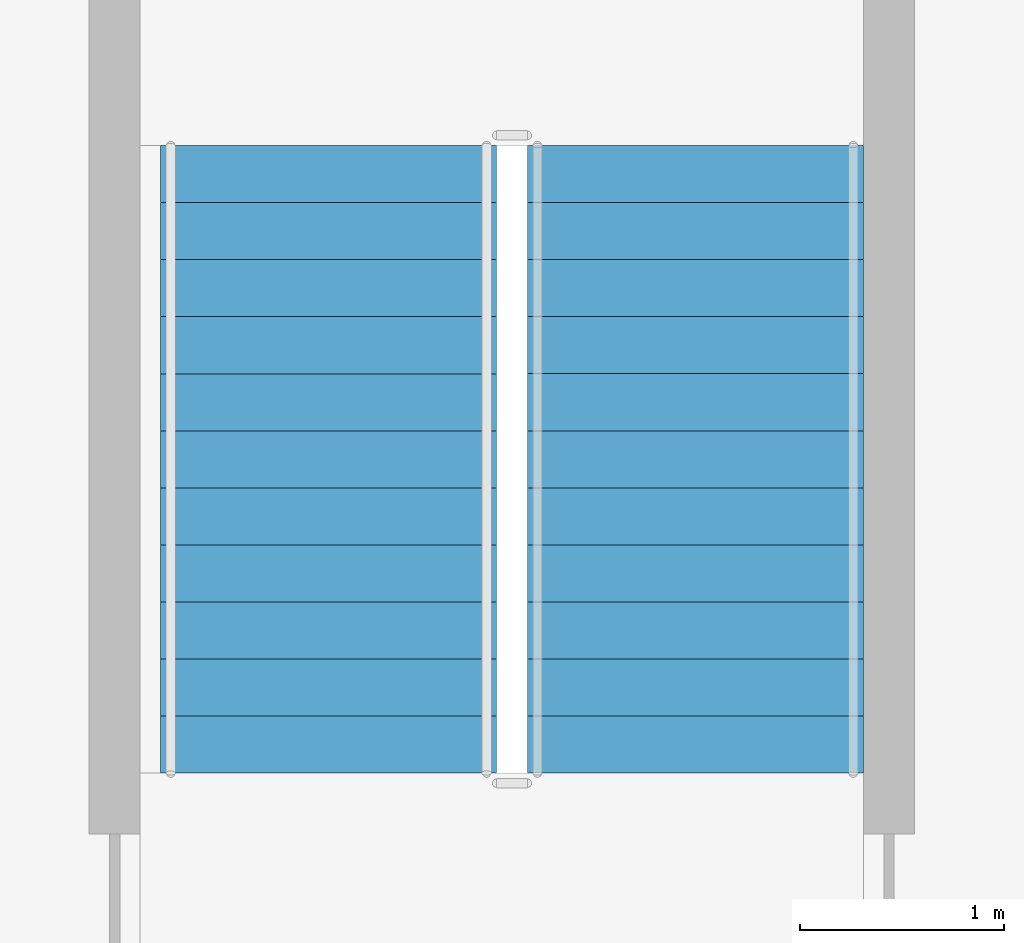
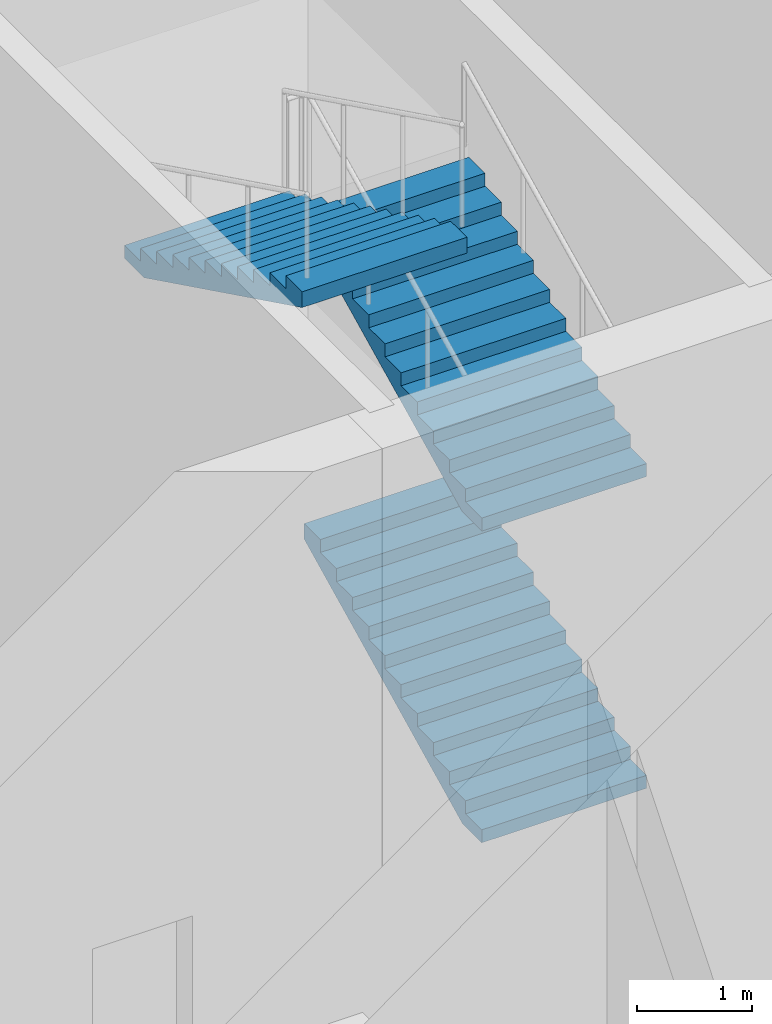
# One storey, part 11 of 13: 3 stair flights, 1 element without a shape of its own.
"""IFC4 building model written with IfcOpenShell, lengths in metres."""

from ifc_helpers import new_model, si_unit, direction, frame, origin, place, context, subcontext, project, spatial, polyline, outline, extrude, material, layer, layer_set, type_object, element, aggregate, save


model = new_model("IFC4")

# Units and contexts
model_context = context("Model", 3, precision=1e-05, world=origin(), true_north=direction((0.0, 1.0)))
body_context = subcontext(model_context, "Body", "Model", "MODEL_VIEW")
ifc_project = project(units=[si_unit("LENGTHUNIT", "METRE"), si_unit("AREAUNIT", "SQUARE_METRE"), si_unit("VOLUMEUNIT", "CUBIC_METRE"), si_unit("PLANEANGLEUNIT", "RADIAN"), si_unit("MASSUNIT", "GRAM", prefix="KILO")], contexts=[model_context])

# Site, building, storey
site_placement = place(None, origin())
site = spatial("IfcSite", under=ifc_project, at=site_placement, CompositionType="ELEMENT")
building_placement = place(site_placement, origin())
building = spatial("IfcBuilding", under=site, at=building_placement, Name="Poui Terraces", CompositionType="ELEMENT")
storey_placement = place(building_placement, frame((0.0, 0.0, 165.300048828125)))
storey = spatial("IfcBuildingStorey", under=building, at=storey_placement, Name="L46", CompositionType="ELEMENT", Elevation=165.300048828125)

# Stair, stair flights
ifc_material = material(Name="Concrete 65 MPa", Category="concrete")
stair_type = type_object("IfcStairType", Name="EXIT STAIR 1650 65 MPA", PredefinedType="HALF_TURN_STAIR", material=ifc_material)
stair_placement = place(storey_placement, origin())
stair = element("IfcStair", 1, at=stair_placement, inside=storey, type_object=stair_type, Name="L46 TIP STAIR EAST", PredefinedType="HALF_TURN_STAIR")
ifc_layer = layer(ifc_material, 0.14990234375)
ifc_layer_set = layer_set([ifc_layer], Name="Concrete 65 MPa")
stair_flight_type = type_object("IfcStairFlightType", Name="STAIR FLIGHT 12 RISERS 138 RISE 65 MPA", PredefinedType="STRAIGHT", material=ifc_layer_set)
stair_flight_1_placement = place(storey_placement, frame((80.25, 16.60009765625, 0.0), z_axis=(0.0, 0.0, 1.0), x_axis=(0.0, 1.0, 0.0)))
stair_flight_1 = element("IfcStairFlight", 2, at=stair_flight_1_placement, type_object=stair_flight_type, Name="ST-E flight 1", NumberOfRisers=12, NumberOfTreads=11, PredefinedType="STRAIGHT", RiserHeight=0.1375, TreadLength=0.28, context=body_context, shape_type="SweptSolid", body=[
    extrude(outline(polyline([(0.0, 0.0), (0.0, 0.137451171875), (0.280029296875, 0.137451171875), (0.280029296875, 0.27490234375), (0.56005859375, 0.27490234375), (0.56005859375, 0.41259765625), (0.840087890625, 0.41259765625), (0.840087890625, 0.550048828125), (1.1201171875, 0.550048828125), (1.1201171875, 0.6875), (1.39990234375, 0.6875), (1.39990234375, 0.824951171875), (1.679931640625, 0.824951171875), (1.679931640625, 0.96240234375), (1.9599609375, 0.96240234375), (1.9599609375, 1.10009765625), (2.239990234375, 1.10009765625), (2.239990234375, 1.237548828125), (2.52001953125, 1.237548828125), (2.52001953125, 1.375), (2.800048828125, 1.375), (2.800048828125, 1.512451171875), (3.080078125, 1.512451171875), (3.080078125, 1.64990234375), (3.080078125, 1.345458984375), (0.340087890625, 0.0), (0.0, 0.0)])), frame((0.0, 0.824951171875, 0.0), z_axis=(0.0, -1.0, 0.0), x_axis=(1.0, 0.0, 0.0)), (0.0, 0.0, 1.0), 1.64990234375),
])
stair_flight_2_placement = place(storey_placement, frame((80.25, 16.60009765625, 3.300048828125), z_axis=(0.0, 0.0, 1.0), x_axis=(0.0, 1.0, 0.0)))
stair_flight_2 = element("IfcStairFlight", 3, at=stair_flight_2_placement, type_object=stair_flight_type, Name="ST-E flight 3", NumberOfRisers=12, NumberOfTreads=11, PredefinedType="STRAIGHT", RiserHeight=0.1375, TreadLength=0.28, context=body_context, shape_type="SweptSolid", body=[
    extrude(outline(polyline([(0.0, 0.0), (0.0, 0.137451171875), (0.280029296875, 0.137451171875), (0.280029296875, 0.27490234375), (0.56005859375, 0.27490234375), (0.56005859375, 0.41259765625), (0.840087890625, 0.41259765625), (0.840087890625, 0.550048828125), (1.1201171875, 0.550048828125), (1.1201171875, 0.6875), (1.39990234375, 0.6875), (1.39990234375, 0.824951171875), (1.679931640625, 0.824951171875), (1.679931640625, 0.96240234375), (1.9599609375, 0.96240234375), (1.9599609375, 1.10009765625), (2.239990234375, 1.10009765625), (2.239990234375, 1.237548828125), (2.52001953125, 1.237548828125), (2.52001953125, 1.375), (2.800048828125, 1.375), (2.800048828125, 1.512451171875), (3.080078125, 1.512451171875), (3.080078125, 1.64990234375), (3.080078125, 1.345458984375), (0.340087890625, 0.0), (0.0, 0.0)])), frame((0.0, 0.824951171875, 0.0), z_axis=(0.0, -1.0, 0.0), x_axis=(1.0, 0.0, 0.0)), (0.0, 0.0, 1.0), 1.64990234375),
])
stair_flight_3_placement = place(storey_placement, frame((78.449951171875, 19.679931640625, 4.949951171875), z_axis=(0.0, 0.0, 1.0), x_axis=(0.0, -1.0, 0.0)))
stair_flight_3 = element("IfcStairFlight", 4, at=stair_flight_3_placement, type_object=stair_flight_type, Name="ST-E flight 4", NumberOfRisers=12, NumberOfTreads=11, PredefinedType="STRAIGHT", RiserHeight=0.1375, TreadLength=0.28, context=body_context, shape_type="SweptSolid", body=[
    extrude(outline(polyline([(0.0, 0.0), (0.0, 0.137451171875), (0.280029296875, 0.137451171875), (0.280029296875, 0.27490234375), (0.56005859375, 0.27490234375), (0.56005859375, 0.41259765625), (0.840087890625, 0.41259765625), (0.840087890625, 0.550048828125), (1.1201171875, 0.550048828125), (1.1201171875, 0.6875), (1.39990234375, 0.6875), (1.39990234375, 0.824951171875), (1.679931640625, 0.824951171875), (1.679931640625, 0.96240234375), (1.9599609375, 0.96240234375), (1.9599609375, 1.10009765625), (2.239990234375, 1.10009765625), (2.239990234375, 1.237548828125), (2.52001953125, 1.237548828125), (2.52001953125, 1.375), (2.800048828125, 1.375), (2.800048828125, 1.512451171875), (3.080078125, 1.512451171875), (3.080078125, 1.64990234375), (3.080078125, 1.345458984375), (0.340087890625, 0.0), (0.0, 0.0)])), frame((0.0, 0.824951171875, 0.0), z_axis=(0.0, -1.0, 0.0), x_axis=(1.0, 0.0, 0.0)), (0.0, 0.0, 1.0), 1.64990234375),
])
aggregate(stair, [stair_flight_1, stair_flight_2, stair_flight_3])

save(model, "model.ifc")
